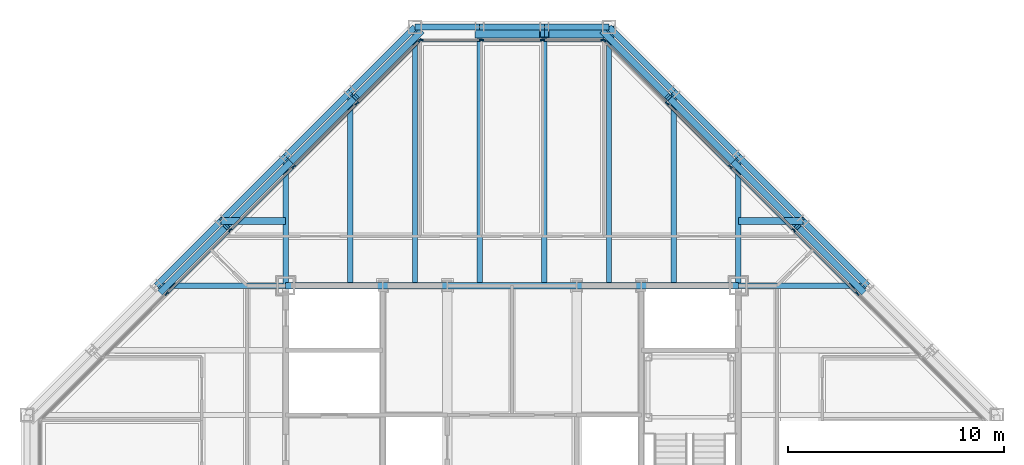
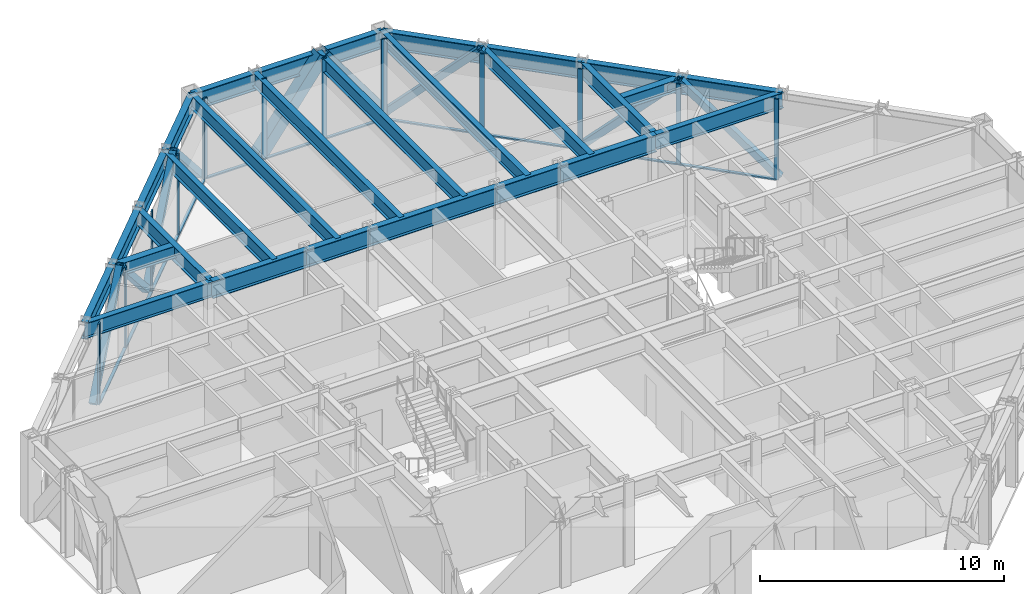
# One storey, part 8 of 15: 35 members, 28 beams, 3 elements without a shape of their own.
"""IFC4 building model written with IfcOpenShell, lengths in metres."""

from ifc_helpers import new_model, si_unit, direction, frame, origin, origin_2d, place, context, subcontext, project, spatial, rectangle, hollow_rectangle, i_section, extrude, material, layer, layer_set, material_profile, profile_set, type_object, element, aggregate, save


model = new_model("IFC4")

# Units and contexts
model_context = context("Model", 3, precision=1e-05, world=origin(), true_north=direction((0.0, 1.0)))
body_context = subcontext(model_context, "Body", "Model", "MODEL_VIEW")
ifc_project = project(units=[si_unit("LENGTHUNIT", "METRE"), si_unit("AREAUNIT", "SQUARE_METRE"), si_unit("VOLUMEUNIT", "CUBIC_METRE"), si_unit("PLANEANGLEUNIT", "RADIAN"), si_unit("MASSUNIT", "GRAM", prefix="KILO")], contexts=[model_context])

# Site, building, storey
site_placement = place(None, origin())
site = spatial("IfcSite", under=ifc_project, at=site_placement, CompositionType="ELEMENT")
building_placement = place(site_placement, origin())
building = spatial("IfcBuilding", under=site, at=building_placement, Name="Chuquiago Exchange Tower", CompositionType="ELEMENT")
storey_placement = place(building_placement, frame((0.0, 0.0, 262.199951171875)))
storey = spatial("IfcBuildingStorey", under=building, at=storey_placement, Name="L58", CompositionType="ELEMENT", Elevation=262.199951171875)

# Beams
ifc_material_1 = material(Name="Steel ASTM A992", Category="steel")
ifc_material_profile_1 = material_profile(ifc_material_1, i_section(OverallWidth=0.25390625, OverallDepth=0.683349609375, WebThickness=0.012451171875, FlangeThickness=0.018798828125, at=origin_2d()), Name="W27X94")
ifc_profile_set_1 = profile_set([ifc_material_profile_1], Name="Steel ASTM A992")
beam_type_1 = type_object("IfcBeamType", Name="B1 W27X94", PredefinedType="BEAM", material=ifc_profile_set_1)
beam_1_placement = place(storey_placement, frame((15.0, 33.0, 3.698486328125), z_axis=(0.0, 1.0, 0.0), x_axis=(-1.0, 0.0, 0.0)))
element("IfcBeam", 1, at=beam_1_placement, inside=storey, type_object=beam_type_1, Name="FB-L59-infill-15_33-15_42-0", PredefinedType="BEAM", context=body_context, shape_type="SweptSolid", body=[
    extrude(i_section(OverallWidth=0.25390625, OverallDepth=0.683349609375, WebThickness=0.012451171875, FlangeThickness=0.018798828125, at=origin_2d()), origin(), (0.0, 0.0, 1.0), 9.0),
])
for number, where, z_axis, x_axis, name in (
    (2, (18.0, 33.0, 3.698486328125), (0.0, 1.0, 0.0), (-1.0, 0.0, 0.0), "FB-L59-infill-18_33-18_45-0"),
    (3, (21.0, 33.0, 3.698486328125), (0.0, 1.0, 0.0), (-1.0, 0.0, 0.0), "FB-L59-infill-21_33-21_45-0"),
    (4, (24.0, 33.0, 3.698486328125), (0.0, 1.0, 0.0), (-1.0, 0.0, 0.0), "FB-L59-infill-24_33-24_45-0"),
    (5, (27.0, 33.0, 3.698486328125), (0.0, 1.0, 0.0), (-1.0, 0.0, 0.0), "FB-L59-infill-27_33-27_45-0"),
):
    element("IfcBeam", number, at=place(storey_placement, frame(where, z_axis=z_axis, x_axis=x_axis)), inside=storey, type_object=beam_type_1, Name=name, PredefinedType="BEAM", context=body_context, shape_type="SweptSolid", body=[
        extrude(i_section(OverallWidth=0.25390625, OverallDepth=0.683349609375, WebThickness=0.012451171875, FlangeThickness=0.018798828125, at=origin_2d()), origin(), (0.0, 0.0, 1.0), 12.0),
    ])
beam_2_placement = place(storey_placement, frame((30.0, 33.0, 3.698486328125), z_axis=(0.0, 1.0, 0.0), x_axis=(-1.0, 0.0, 0.0)))
element("IfcBeam", 6, at=beam_2_placement, inside=storey, type_object=beam_type_1, Name="FB-L59-infill-30_33-30_42-0", PredefinedType="BEAM", context=body_context, shape_type="SweptSolid", body=[
    extrude(i_section(OverallWidth=0.25390625, OverallDepth=0.683349609375, WebThickness=0.012451171875, FlangeThickness=0.018798828125, at=origin_2d()), origin(), (0.0, 0.0, 1.0), 9.0),
])
ifc_material_2 = material(Name="Steel ASTM A992", Category="steel")
ifc_material_profile_2 = material_profile(ifc_material_2, i_section(OverallWidth=0.3251953125, OverallDepth=0.612060546875, WebThickness=0.0126953125, FlangeThickness=0.01904296875, at=origin_2d()), Name="W24X104")
ifc_profile_set_2 = profile_set([ifc_material_profile_2], Name="Steel ASTM A992")
beam_type_2 = type_object("IfcBeamType", Name="B2 W24X104", PredefinedType="BEAM", material=ifc_profile_set_2)
for number, where, z_axis, x_axis, name in (
    (7, (12.0, 36.0, 3.73388671875), (-1.0, 0.0, 0.0), (0.0, -1.0, 0.0), "FB-L59-corner-12_36-9_36-0"),
    (8, (33.0, 36.0, 3.73388671875), (1.0, 0.0, 0.0), (0.0, 1.0, 0.0), "FB-L59-corner-33_36-36_36-0"),
):
    element("IfcBeam", number, at=place(storey_placement, frame(where, z_axis=z_axis, x_axis=x_axis)), inside=storey, type_object=beam_type_2, Name=name, PredefinedType="BEAM", context=body_context, shape_type="SweptSolid", body=[
        extrude(i_section(OverallWidth=0.3251953125, OverallDepth=0.612060546875, WebThickness=0.0126953125, FlangeThickness=0.01904296875, at=origin_2d()), origin(), (0.0, 0.0, 1.0), 3.0),
    ])
ifc_material_3 = material(Name="Steel ASTM A992", Category="steel")
ifc_material_profile_3 = material_profile(ifc_material_3, i_section(OverallWidth=0.2919921875, OverallDepth=0.8583984375, WebThickness=0.01708984375, FlangeThickness=0.031005859375, at=origin_2d()), Name="W33X169")
ifc_profile_set_3 = profile_set([ifc_material_profile_3], Name="Steel ASTM A992")
beam_type_3 = type_object("IfcBeamType", Name="B3 W33X169", PredefinedType="BEAM", material=ifc_profile_set_3)
beam_3_placement = place(storey_placement, frame((12.0, 33.0, 3.61083984375), z_axis=(1.0, 0.0, 0.0), x_axis=(0.0, 1.0, 0.0)))
element("IfcBeam", 9, at=beam_3_placement, inside=storey, type_object=beam_type_3, Name="CB-L59-12_33-16.5_33", PredefinedType="BEAM", context=body_context, shape_type="SweptSolid", body=[
    extrude(i_section(OverallWidth=0.2919921875, OverallDepth=0.8583984375, WebThickness=0.01708984375, FlangeThickness=0.031005859375, at=origin_2d()), origin(), (0.0, 0.0, 1.0), 4.5),
])
beam_4_placement = place(storey_placement, frame((16.5, 33.0, 3.61083984375), z_axis=(1.0, 0.0, 0.0), x_axis=(0.0, 1.0, 0.0)))
element("IfcBeam", 10, at=beam_4_placement, inside=storey, type_object=beam_type_3, Name="CB-L59-16.5_33-19.5_33", PredefinedType="BEAM", context=body_context, shape_type="SweptSolid", body=[
    extrude(i_section(OverallWidth=0.2919921875, OverallDepth=0.8583984375, WebThickness=0.01708984375, FlangeThickness=0.031005859375, at=origin_2d()), origin(), (0.0, 0.0, 1.0), 3.0),
])
beam_5_placement = place(storey_placement, frame((19.5, 33.0, 3.61083984375), z_axis=(1.0, 0.0, 0.0), x_axis=(0.0, 1.0, 0.0)))
element("IfcBeam", 11, at=beam_5_placement, inside=storey, type_object=beam_type_3, Name="CB-L59-19.5_33-25.5_33", PredefinedType="BEAM", context=body_context, shape_type="SweptSolid", body=[
    extrude(i_section(OverallWidth=0.2919921875, OverallDepth=0.8583984375, WebThickness=0.01708984375, FlangeThickness=0.031005859375, at=origin_2d()), origin(), (0.0, 0.0, 1.0), 6.0),
])
beam_6_placement = place(storey_placement, frame((25.5, 33.0, 3.61083984375), z_axis=(1.0, 0.0, 0.0), x_axis=(0.0, 1.0, 0.0)))
element("IfcBeam", 12, at=beam_6_placement, inside=storey, type_object=beam_type_3, Name="CB-L59-25.5_33-28.5_33", PredefinedType="BEAM", context=body_context, shape_type="SweptSolid", body=[
    extrude(i_section(OverallWidth=0.2919921875, OverallDepth=0.8583984375, WebThickness=0.01708984375, FlangeThickness=0.031005859375, at=origin_2d()), origin(), (0.0, 0.0, 1.0), 3.0),
])
beam_7_placement = place(storey_placement, frame((28.5, 33.0, 3.61083984375), z_axis=(1.0, 0.0, 0.0), x_axis=(0.0, 1.0, 0.0)))
element("IfcBeam", 13, at=beam_7_placement, inside=storey, type_object=beam_type_3, Name="CB-L59-28.5_33-33_33", PredefinedType="BEAM", context=body_context, shape_type="SweptSolid", body=[
    extrude(i_section(OverallWidth=0.2919921875, OverallDepth=0.8583984375, WebThickness=0.01708984375, FlangeThickness=0.031005859375, at=origin_2d()), origin(), (0.0, 0.0, 1.0), 4.5),
])

# Curtain wall, members
ifc_material_4 = material(Name="Aluminium curtain wall system", Category="aluminium")
ifc_layer_1 = layer(ifc_material_4, 0.22509765625)
ifc_layer_set_1 = layer_set([ifc_layer_1], Name="CW2 office curtain wall")
curtain_wall_type_1 = type_object("IfcCurtainWallType", Name="CW2 office curtain wall", PredefinedType="NOTDEFINED", material=ifc_layer_set_1)
curtain_wall_1_placement = place(storey_placement, origin())
curtain_wall_1 = element("IfcCurtainWall", 14, at=curtain_wall_1_placement, inside=storey, type_object=curtain_wall_type_1, Name="CW2 curtain wall L58", PredefinedType="NOTDEFINED")
ifc_material_5 = material(Name="Aluminium mullion, pale anodised", Category="aluminium")
ifc_material_profile_4 = material_profile(ifc_material_5, rectangle(XDim=0.06494140625, YDim=0.22509765625, at=origin_2d()), Name="AL 65x225")
ifc_profile_set_4 = profile_set([ifc_material_profile_4], Name="Aluminium mullion, pale anodised")
member_type_1 = type_object("IfcMemberType", Name="CW2-M mullion 65x225", PredefinedType="MULLION", material=ifc_profile_set_4)
member_1_placement = place(storey_placement, frame((26.718994140625, 44.39990234375, 0.0), z_axis=(0.0, 0.0, 1.0), x_axis=(0.0, -1.0, 0.0)))
member_1 = element("IfcMember", 15, at=member_1_placement, type_object=member_type_1, Name="CW2 mullion 1", PredefinedType="MULLION", context=body_context, shape_type="SweptSolid", body=[
    extrude(rectangle(XDim=0.06494140625, YDim=0.22509765625, at=origin_2d()), origin(), (0.0, 0.0, 1.0), 4.0400390625),
])
member_2_placement = place(storey_placement, frame((23.917236328125, 44.39990234375, 0.0), z_axis=(0.0, 0.0, 1.0), x_axis=(0.0, -1.0, 0.0)))
member_2 = element("IfcMember", 16, at=member_2_placement, type_object=member_type_1, Name="CW2 mullion 2", PredefinedType="MULLION", context=body_context, shape_type="SweptSolid", body=[
    extrude(rectangle(XDim=0.06494140625, YDim=0.22509765625, at=origin_2d()), origin(), (0.0, 0.0, 1.0), 4.0400390625),
])
member_3_placement = place(storey_placement, frame((21.082763671875, 44.39990234375, 0.0), z_axis=(0.0, 0.0, 1.0), x_axis=(0.0, -1.0, 0.0)))
member_3 = element("IfcMember", 17, at=member_3_placement, type_object=member_type_1, Name="CW2 mullion 3", PredefinedType="MULLION", context=body_context, shape_type="SweptSolid", body=[
    extrude(rectangle(XDim=0.06494140625, YDim=0.22509765625, at=origin_2d()), origin(), (0.0, 0.0, 1.0), 4.0400390625),
])
member_4_placement = place(storey_placement, frame((18.281005859375, 44.39990234375, 0.0), z_axis=(0.0, 0.0, 1.0), x_axis=(0.0, -1.0, 0.0)))
member_4 = element("IfcMember", 18, at=member_4_placement, type_object=member_type_1, Name="CW2 mullion 4", PredefinedType="MULLION", context=body_context, shape_type="SweptSolid", body=[
    extrude(rectangle(XDim=0.06494140625, YDim=0.22509765625, at=origin_2d()), origin(), (0.0, 0.0, 1.0), 4.0400390625),
])
ifc_material_6 = material(Name="Aluminium transom, pale anodised", Category="aluminium")
ifc_material_profile_5 = material_profile(ifc_material_6, rectangle(XDim=0.139892578125, YDim=0.06494140625, at=origin_2d()), Name="AL 140x65")
ifc_profile_set_5 = profile_set([ifc_material_profile_5], Name="Aluminium transom, pale anodised")
member_type_2 = type_object("IfcMemberType", Name="CW2-T transom 65x140", PredefinedType="MULLION", material=ifc_profile_set_5)
member_5_placement = place(storey_placement, frame((26.6865234375, 44.39990234375, 0.032470703125), z_axis=(-1.0, 0.0, 0.0), x_axis=(0.0, -1.0, 0.0)))
member_5 = element("IfcMember", 19, at=member_5_placement, type_object=member_type_2, Name="CW2 transom 1.1", PredefinedType="MULLION", context=body_context, shape_type="SweptSolid", body=[
    extrude(rectangle(XDim=0.139892578125, YDim=0.06494140625, at=origin_2d()), origin(), (0.0, 0.0, 1.0), 2.73681640625),
])
member_6_placement = place(storey_placement, frame((23.884765625, 44.39990234375, 0.032470703125), z_axis=(-1.0, 0.0, 0.0), x_axis=(0.0, -1.0, 0.0)))
member_6 = element("IfcMember", 20, at=member_6_placement, type_object=member_type_2, Name="CW2 transom 2.1", PredefinedType="MULLION", context=body_context, shape_type="SweptSolid", body=[
    extrude(rectangle(XDim=0.139892578125, YDim=0.06494140625, at=origin_2d()), origin(), (0.0, 0.0, 1.0), 2.76953125),
])
member_7_placement = place(storey_placement, frame((21.05029296875, 44.39990234375, 0.032470703125), z_axis=(-1.0, 0.0, 0.0), x_axis=(0.0, -1.0, 0.0)))
member_7 = element("IfcMember", 21, at=member_7_placement, type_object=member_type_2, Name="CW2 transom 3.1", PredefinedType="MULLION", context=body_context, shape_type="SweptSolid", body=[
    extrude(rectangle(XDim=0.139892578125, YDim=0.06494140625, at=origin_2d()), origin(), (0.0, 0.0, 1.0), 2.73681640625),
])
aggregate(curtain_wall_1, [member_1, member_2, member_3, member_4, member_5, member_6, member_7])

ifc_material_7 = material(Name="Aluminium curtain wall system", Category="aluminium")
ifc_layer_2 = layer(ifc_material_7, 0.199951171875)
ifc_layer_set_2 = layer_set([ifc_layer_2], Name="CW3 facet curtain wall")
curtain_wall_type_2 = type_object("IfcCurtainWallType", Name="CW3 facet curtain wall", PredefinedType="NOTDEFINED", material=ifc_layer_set_2)
curtain_wall_2_placement = place(storey_placement, origin())
curtain_wall_2 = element("IfcCurtainWall", 22, at=curtain_wall_2_placement, inside=storey, type_object=curtain_wall_type_2, Name="CW3 curtain wall L58", PredefinedType="NOTDEFINED")
ifc_material_8 = material(Name="Aluminium mullion, pale anodised", Category="aluminium")
ifc_material_profile_6 = material_profile(ifc_material_8, rectangle(XDim=0.06494140625, YDim=0.199951171875, at=origin_2d()), Name="AL 65x200")
ifc_profile_set_6 = profile_set([ifc_material_profile_6], Name="Aluminium mullion, pale anodised")
member_type_3 = type_object("IfcMemberType", Name="CW3-M mullion 65x200", PredefinedType="MULLION", material=ifc_profile_set_6)
member_8_placement = place(storey_placement, frame((38.51708984375, 32.63427734375, 0.0), z_axis=(0.0, 0.0, 1.0), x_axis=(-0.707106781187, -0.707106781187, 0.0)))
member_8 = element("IfcMember", 23, at=member_8_placement, type_object=member_type_3, Name="CW3 mullion 3", PredefinedType="MULLION", context=body_context, shape_type="SweptSolid", body=[
    extrude(rectangle(XDim=0.06494140625, YDim=0.199951171875, at=origin_2d()), origin(), (0.0, 0.0, 1.0), 4.0400390625),
])
member_9_placement = place(storey_placement, frame((35.57568359375, 35.57568359375, 0.0), z_axis=(0.0, 0.0, 1.0), x_axis=(-0.707106781187, -0.707106781187, 0.0)))
member_9 = element("IfcMember", 24, at=member_9_placement, type_object=member_type_3, Name="CW3 mullion 4", PredefinedType="MULLION", context=body_context, shape_type="SweptSolid", body=[
    extrude(rectangle(XDim=0.06494140625, YDim=0.199951171875, at=origin_2d()), origin(), (0.0, 0.0, 1.0), 4.0400390625),
])
member_10_placement = place(storey_placement, frame((32.63427734375, 38.51708984375, 0.0), z_axis=(0.0, 0.0, 1.0), x_axis=(-0.707106781187, -0.707106781187, 0.0)))
member_10 = element("IfcMember", 25, at=member_10_placement, type_object=member_type_3, Name="CW3 mullion 5", PredefinedType="MULLION", context=body_context, shape_type="SweptSolid", body=[
    extrude(rectangle(XDim=0.06494140625, YDim=0.199951171875, at=origin_2d()), origin(), (0.0, 0.0, 1.0), 4.0400390625),
])
member_11_placement = place(storey_placement, frame((29.69287109375, 41.45849609375, 0.0), z_axis=(0.0, 0.0, 1.0), x_axis=(-0.707106781187, -0.707106781187, 0.0)))
member_11 = element("IfcMember", 26, at=member_11_placement, type_object=member_type_3, Name="CW3 mullion 6", PredefinedType="MULLION", context=body_context, shape_type="SweptSolid", body=[
    extrude(rectangle(XDim=0.06494140625, YDim=0.199951171875, at=origin_2d()), origin(), (0.0, 0.0, 1.0), 4.0400390625),
])
member_12_placement = place(storey_placement, frame((26.7744140625, 44.376953125, 0.0), z_axis=(0.0, 0.0, 1.0), x_axis=(-0.707106781187, -0.707106781187, 0.0)))
member_12 = element("IfcMember", 27, at=member_12_placement, type_object=member_type_3, Name="CW3 mullion 7", PredefinedType="MULLION", context=body_context, shape_type="SweptSolid", body=[
    extrude(rectangle(XDim=0.06494140625, YDim=0.199951171875, at=origin_2d()), origin(), (0.0, 0.0, 1.0), 4.0400390625),
])

curtain_wall_3_placement = place(storey_placement, origin())
curtain_wall_3 = element("IfcCurtainWall", 28, at=curtain_wall_3_placement, inside=storey, type_object=curtain_wall_type_2, Name="CW3 curtain wall L58", PredefinedType="NOTDEFINED")
member_13_placement = place(storey_placement, frame((18.2255859375, 44.376953125, 0.0), z_axis=(0.0, 0.0, 1.0), x_axis=(0.707106781187, -0.707106781187, 0.0)))
member_13 = element("IfcMember", 29, at=member_13_placement, type_object=member_type_3, Name="CW3 mullion 1", PredefinedType="MULLION", context=body_context, shape_type="SweptSolid", body=[
    extrude(rectangle(XDim=0.06494140625, YDim=0.199951171875, at=origin_2d()), origin(), (0.0, 0.0, 1.0), 4.0400390625),
])
member_14_placement = place(storey_placement, frame((15.30712890625, 41.45849609375, 0.0), z_axis=(0.0, 0.0, 1.0), x_axis=(0.707106781187, -0.707106781187, 0.0)))
member_14 = element("IfcMember", 30, at=member_14_placement, type_object=member_type_3, Name="CW3 mullion 2", PredefinedType="MULLION", context=body_context, shape_type="SweptSolid", body=[
    extrude(rectangle(XDim=0.06494140625, YDim=0.199951171875, at=origin_2d()), origin(), (0.0, 0.0, 1.0), 4.0400390625),
])
member_15_placement = place(storey_placement, frame((12.36572265625, 38.51708984375, 0.0), z_axis=(0.0, 0.0, 1.0), x_axis=(0.707106781187, -0.707106781187, 0.0)))
member_15 = element("IfcMember", 31, at=member_15_placement, type_object=member_type_3, Name="CW3 mullion 3", PredefinedType="MULLION", context=body_context, shape_type="SweptSolid", body=[
    extrude(rectangle(XDim=0.06494140625, YDim=0.199951171875, at=origin_2d()), origin(), (0.0, 0.0, 1.0), 4.0400390625),
])
member_16_placement = place(storey_placement, frame((9.42431640625, 35.57568359375, 0.0), z_axis=(0.0, 0.0, 1.0), x_axis=(0.707106781187, -0.707106781187, 0.0)))
member_16 = element("IfcMember", 32, at=member_16_placement, type_object=member_type_3, Name="CW3 mullion 4", PredefinedType="MULLION", context=body_context, shape_type="SweptSolid", body=[
    extrude(rectangle(XDim=0.06494140625, YDim=0.199951171875, at=origin_2d()), origin(), (0.0, 0.0, 1.0), 4.0400390625),
])
member_17_placement = place(storey_placement, frame((6.48291015625, 32.63427734375, 0.0), z_axis=(0.0, 0.0, 1.0), x_axis=(0.707106781187, -0.707106781187, 0.0)))
member_17 = element("IfcMember", 33, at=member_17_placement, type_object=member_type_3, Name="CW3 mullion 5", PredefinedType="MULLION", context=body_context, shape_type="SweptSolid", body=[
    extrude(rectangle(XDim=0.06494140625, YDim=0.199951171875, at=origin_2d()), origin(), (0.0, 0.0, 1.0), 4.0400390625),
])

# Member
ifc_material_9 = material(Name="Aluminium transom, pale anodised", Category="aluminium")
ifc_material_profile_7 = material_profile(ifc_material_9, rectangle(XDim=0.139892578125, YDim=0.06494140625, at=origin_2d()), Name="AL 140x65")
ifc_profile_set_7 = profile_set([ifc_material_profile_7], Name="Aluminium transom, pale anodised")
member_type_4 = type_object("IfcMemberType", Name="CW3-T transom 65x140", PredefinedType="MULLION", material=ifc_profile_set_7)
member_18_placement = place(storey_placement, frame((38.494140625, 32.6572265625, 0.032470703125), z_axis=(-0.707106781187, 0.707106781187, 0.0), x_axis=(-0.707106781187, -0.707106781187, 0.0)))
member_18 = element("IfcMember", 34, at=member_18_placement, type_object=member_type_4, Name="CW3 transom 3.1", PredefinedType="MULLION", context=body_context, shape_type="SweptSolid", body=[
    extrude(rectangle(XDim=0.139892578125, YDim=0.06494140625, at=origin_2d()), origin(), (0.0, 0.0, 1.0), 4.094970703125),
])

member_19_placement = place(storey_placement, frame((35.552734375, 35.5986328125, 0.032470703125), z_axis=(-0.707106781187, 0.707106781187, 0.0), x_axis=(-0.707106781187, -0.707106781187, 0.0)))
member_19 = element("IfcMember", 35, at=member_19_placement, type_object=member_type_4, Name="CW3 transom 4.1", PredefinedType="MULLION", context=body_context, shape_type="SweptSolid", body=[
    extrude(rectangle(XDim=0.139892578125, YDim=0.06494140625, at=origin_2d()), origin(), (0.0, 0.0, 1.0), 4.094970703125),
])

member_20_placement = place(storey_placement, frame((32.611328125, 38.5400390625, 0.032470703125), z_axis=(-0.707106781187, 0.707106781187, 0.0), x_axis=(-0.707106781187, -0.707106781187, 0.0)))
member_20 = element("IfcMember", 36, at=member_20_placement, type_object=member_type_4, Name="CW3 transom 5.1", PredefinedType="MULLION", context=body_context, shape_type="SweptSolid", body=[
    extrude(rectangle(XDim=0.139892578125, YDim=0.06494140625, at=origin_2d()), origin(), (0.0, 0.0, 1.0), 4.094970703125),
])

member_21_placement = place(storey_placement, frame((29.669921875, 41.4814453125, 0.032470703125), z_axis=(-0.707106781187, 0.707106781187, 0.0), x_axis=(-0.707106781187, -0.707106781187, 0.0)))
member_21 = element("IfcMember", 37, at=member_21_placement, type_object=member_type_4, Name="CW3 transom 6.1", PredefinedType="MULLION", context=body_context, shape_type="SweptSolid", body=[
    extrude(rectangle(XDim=0.139892578125, YDim=0.06494140625, at=origin_2d()), origin(), (0.0, 0.0, 1.0), 4.0625),
])

aggregate(curtain_wall_2, [member_8, member_9, member_10, member_11, member_12, member_18, member_19, member_20, member_21])

member_22_placement = place(storey_placement, frame((18.20263671875, 44.35400390625, 0.032470703125), z_axis=(-0.707106781187, -0.707106781187, 0.0), x_axis=(0.707106781187, -0.707106781187, 0.0)))
member_22 = element("IfcMember", 38, at=member_22_placement, type_object=member_type_4, Name="CW3 transom 1.1", PredefinedType="MULLION", context=body_context, shape_type="SweptSolid", body=[
    extrude(rectangle(XDim=0.139892578125, YDim=0.06494140625, at=origin_2d()), origin(), (0.0, 0.0, 1.0), 4.0625),
])

member_23_placement = place(storey_placement, frame((15.2841796875, 41.435546875, 0.032470703125), z_axis=(-0.707106781187, -0.707106781187, 0.0), x_axis=(0.707106781187, -0.707106781187, 0.0)))
member_23 = element("IfcMember", 39, at=member_23_placement, type_object=member_type_4, Name="CW3 transom 2.1", PredefinedType="MULLION", context=body_context, shape_type="SweptSolid", body=[
    extrude(rectangle(XDim=0.139892578125, YDim=0.06494140625, at=origin_2d()), origin(), (0.0, 0.0, 1.0), 4.094970703125),
])

member_24_placement = place(storey_placement, frame((12.3427734375, 38.494140625, 0.032470703125), z_axis=(-0.707106781187, -0.707106781187, 0.0), x_axis=(0.707106781187, -0.707106781187, 0.0)))
member_24 = element("IfcMember", 40, at=member_24_placement, type_object=member_type_4, Name="CW3 transom 3.1", PredefinedType="MULLION", context=body_context, shape_type="SweptSolid", body=[
    extrude(rectangle(XDim=0.139892578125, YDim=0.06494140625, at=origin_2d()), origin(), (0.0, 0.0, 1.0), 4.094970703125),
])

member_25_placement = place(storey_placement, frame((9.4013671875, 35.552734375, 0.032470703125), z_axis=(-0.707106781187, -0.707106781187, 0.0), x_axis=(0.707106781187, -0.707106781187, 0.0)))
member_25 = element("IfcMember", 41, at=member_25_placement, type_object=member_type_4, Name="CW3 transom 4.1", PredefinedType="MULLION", context=body_context, shape_type="SweptSolid", body=[
    extrude(rectangle(XDim=0.139892578125, YDim=0.06494140625, at=origin_2d()), origin(), (0.0, 0.0, 1.0), 4.094970703125),
])

aggregate(curtain_wall_3, [member_13, member_14, member_15, member_16, member_17, member_22, member_23, member_24, member_25])

# Beams
ifc_material_10 = material(Name="Steel ASTM A992", Category="steel")
ifc_material_profile_8 = material_profile(ifc_material_10, i_section(OverallWidth=0.2666015625, OverallDepth=0.76953125, WebThickness=0.015625, FlangeThickness=0.025390625, at=origin_2d()), Name="W30X132")
ifc_profile_set_8 = profile_set([ifc_material_profile_8], Name="Steel ASTM A992")
beam_type_4 = type_object("IfcBeamType", Name="G1 W30X132", PredefinedType="BEAM", material=ifc_profile_set_8)
for number, where, z_axis, x_axis, name in (
    (42, (12.0, 33.0, 3.6552734375), (0.0, 1.0, 0.0), (-1.0, 0.0, 0.0), "FB-L59-girder-12_33-12_39-0"),
    (43, (33.0, 33.0, 3.6552734375), (0.0, 1.0, 0.0), (-1.0, 0.0, 0.0), "FB-L59-girder-33_33-33_39-0"),
    (44, (33.0, 33.0, 3.6552734375), (1.0, 0.0, 0.0), (0.0, 1.0, 0.0), "FB-L59-girder-33_33-39_33-0"),
    (45, (12.0, 33.0, 3.6552734375), (-1.0, 0.0, 0.0), (0.0, -1.0, 0.0), "FB-L59-girder-12_33-6_33-0"),
):
    element("IfcBeam", number, at=place(storey_placement, frame(where, z_axis=z_axis, x_axis=x_axis)), inside=storey, type_object=beam_type_4, Name=name, PredefinedType="BEAM", context=body_context, shape_type="SweptSolid", body=[
        extrude(i_section(OverallWidth=0.2666015625, OverallDepth=0.76953125, WebThickness=0.015625, FlangeThickness=0.025390625, at=origin_2d()), origin(), (0.0, 0.0, 1.0), 6.0),
    ])

# Members
ifc_material_11 = material(Name="Steel ASTM A500 Grade C", Category="steel")
ifc_material_profile_9 = material_profile(ifc_material_11, hollow_rectangle(XDim=0.3046875, YDim=0.3046875, WallThickness=0.0146484375, at=origin_2d()), Name="HSS12X12X5/8")
ifc_profile_set_9 = profile_set([ifc_material_profile_9], Name="Steel ASTM A500 Grade C")
member_type_5 = type_object("IfcMemberType", Name="LB3 HSS12X12X5/8", PredefinedType="BRACE", material=ifc_profile_set_9)
for number, where, z_axis, x_axis, name in (
    (46, (38.750732421875, 32.750732421875, 0.0), (-0.512077265487, 0.512077265487, 0.689604051861), (-0.707106781187, -0.707106781187, 0.0), "LB-L58-39_33-36_36"),
    (47, (32.750732421875, 38.750732421875, 0.0), (0.512077265487, -0.512077265487, 0.689604051861), (0.707106781187, 0.707106781187, 0.0), "LB-L58-36_36-33_39"),
    (48, (32.750732421875, 38.750732421875, 0.0), (-0.512077265487, 0.512077265487, 0.689604051861), (-0.707106781187, -0.707106781187, 0.0), "LB-L58-33_39-30_42"),
    (49, (26.750732421875, 44.750732421875, 0.0), (0.512077265487, -0.512077265487, 0.689604051861), (0.707106781187, 0.707106781187, 0.0), "LB-L58-30_42-27_45"),
    (50, (18.249267578125, 44.750732421875, 0.0), (-0.512077265487, -0.512077265487, 0.689604051861), (0.707106781187, -0.707106781187, 0.0), "LB-L58-18_45-15_42"),
    (51, (12.249267578125, 38.750732421875, 0.0), (0.512077265487, 0.512077265487, 0.689604051861), (-0.707106781187, 0.707106781187, 0.0), "LB-L58-15_42-12_39"),
    (52, (12.249267578125, 38.750732421875, 0.0), (-0.512077265487, -0.512077265487, 0.689604051861), (0.707106781187, -0.707106781187, 0.0), "LB-L58-12_39-9_36"),
    (53, (6.249267578125, 32.750732421875, 0.0), (0.512077265487, 0.512077265487, 0.689604051861), (-0.707106781187, 0.707106781187, 0.0), "LB-L58-9_36-6_33"),
):
    element("IfcMember", number, at=place(storey_placement, frame(where, z_axis=z_axis, x_axis=x_axis)), inside=storey, type_object=member_type_5, Name=name, PredefinedType="BRACE", context=body_context, shape_type="SweptSolid", body=[
        extrude(hollow_rectangle(XDim=0.3046875, YDim=0.3046875, WallThickness=0.0146484375, at=origin_2d()), origin(), (0.0, 0.0, 1.0), 5.8583984375),
    ])
ifc_material_12 = material(Name="Steel ASTM A572 Grade 50", Category="steel")
ifc_material_profile_10 = material_profile(ifc_material_12, hollow_rectangle(XDim=0.550048828125, YDim=0.550048828125, WallThickness=0.044921875, at=origin_2d()), Name="BOX550X550X45")
ifc_profile_set_10 = profile_set([ifc_material_profile_10], Name="Steel ASTM A572 Grade 50")
member_type_6 = type_object("IfcMemberType", Name="MB4 BOX550X550X45", PredefinedType="BRACE", material=ifc_profile_set_10)
for number, where, z_axis, x_axis, name in (
    (54, (27.0, 44.77001953125, 0.0), (-0.596173923302, 0.0, 0.802855312728), (0.0, -1.0, 0.0), "Mega diagonal L58 N face"),
    (55, (21.0, 44.77001953125, 0.0), (0.596173923302, 0.0, 0.802855312728), (0.0, 1.0, 0.0), "Mega diagonal L58 N face"),
):
    element("IfcMember", number, at=place(storey_placement, frame(where, z_axis=z_axis, x_axis=x_axis)), inside=storey, type_object=member_type_6, Name=name, PredefinedType="BRACE", context=body_context, shape_type="SweptSolid", body=[
        extrude(hollow_rectangle(XDim=0.550048828125, YDim=0.550048828125, WallThickness=0.044921875, at=origin_2d()), origin(), (0.0, 0.0, 1.0), 5.031982421875),
    ])

# Beams
ifc_material_13 = material(Name="Steel ASTM A992", Category="steel")
ifc_material_profile_11 = material_profile(ifc_material_13, i_section(OverallWidth=0.2919921875, OverallDepth=0.8583984375, WebThickness=0.01708984375, FlangeThickness=0.031005859375, at=origin_2d()), Name="W33X169")
ifc_profile_set_11 = profile_set([ifc_material_profile_11], Name="Steel ASTM A992")
beam_type_5 = type_object("IfcBeamType", Name="SP4 W33X169", PredefinedType="SPANDREL", material=ifc_profile_set_11)
for number, where, z_axis, x_axis, name in (
    (56, (39.0, 33.0, 3.61083984375), (-0.707106781187, 0.707106781187, 0.0), (-0.707106781187, -0.707106781187, 0.0), "SPB-L59-39_33-36_36"),
    (57, (36.0, 36.0, 3.61083984375), (-0.707106781187, 0.707106781187, 0.0), (-0.707106781187, -0.707106781187, 0.0), "SPB-L59-36_36-33_39"),
    (58, (33.0, 39.0, 3.61083984375), (-0.707106781187, 0.707106781187, 0.0), (-0.707106781187, -0.707106781187, 0.0), "SPB-L59-33_39-30_42"),
    (59, (30.0, 42.0, 3.61083984375), (-0.707106781187, 0.707106781187, 0.0), (-0.707106781187, -0.707106781187, 0.0), "SPB-L59-30_42-27_45"),
):
    element("IfcBeam", number, at=place(storey_placement, frame(where, z_axis=z_axis, x_axis=x_axis)), inside=storey, type_object=beam_type_5, Name=name, PredefinedType="SPANDREL", context=body_context, shape_type="SweptSolid", body=[
        extrude(i_section(OverallWidth=0.2919921875, OverallDepth=0.8583984375, WebThickness=0.01708984375, FlangeThickness=0.031005859375, at=origin_2d()), origin(), (0.0, 0.0, 1.0), 4.24267578125),
    ])
for number, where, z_axis, x_axis, name in (
    (60, (27.0, 45.0, 3.61083984375), (-1.0, 0.0, 0.0), (0.0, -1.0, 0.0), "SPB-L59-27_45-24_45"),
    (61, (24.0, 45.0, 3.61083984375), (-1.0, 0.0, 0.0), (0.0, -1.0, 0.0), "SPB-L59-24_45-21_45"),
    (62, (21.0, 45.0, 3.61083984375), (-1.0, 0.0, 0.0), (0.0, -1.0, 0.0), "SPB-L59-21_45-18_45"),
):
    element("IfcBeam", number, at=place(storey_placement, frame(where, z_axis=z_axis, x_axis=x_axis)), inside=storey, type_object=beam_type_5, Name=name, PredefinedType="SPANDREL", context=body_context, shape_type="SweptSolid", body=[
        extrude(i_section(OverallWidth=0.2919921875, OverallDepth=0.8583984375, WebThickness=0.01708984375, FlangeThickness=0.031005859375, at=origin_2d()), origin(), (0.0, 0.0, 1.0), 3.0),
    ])
for number, where, z_axis, x_axis, name in (
    (63, (18.0, 45.0, 3.61083984375), (-0.707106781187, -0.707106781187, 0.0), (0.707106781187, -0.707106781187, 0.0), "SPB-L59-18_45-15_42"),
    (64, (15.0, 42.0, 3.61083984375), (-0.707106781187, -0.707106781187, 0.0), (0.707106781187, -0.707106781187, 0.0), "SPB-L59-15_42-12_39"),
    (65, (12.0, 39.0, 3.61083984375), (-0.707106781187, -0.707106781187, 0.0), (0.707106781187, -0.707106781187, 0.0), "SPB-L59-12_39-9_36"),
    (66, (9.0, 36.0, 3.61083984375), (-0.707106781187, -0.707106781187, 0.0), (0.707106781187, -0.707106781187, 0.0), "SPB-L59-9_36-6_33"),
):
    element("IfcBeam", number, at=place(storey_placement, frame(where, z_axis=z_axis, x_axis=x_axis)), inside=storey, type_object=beam_type_5, Name=name, PredefinedType="SPANDREL", context=body_context, shape_type="SweptSolid", body=[
        extrude(i_section(OverallWidth=0.2919921875, OverallDepth=0.8583984375, WebThickness=0.01708984375, FlangeThickness=0.031005859375, at=origin_2d()), origin(), (0.0, 0.0, 1.0), 4.24267578125),
    ])

save(model, "model.ifc")
